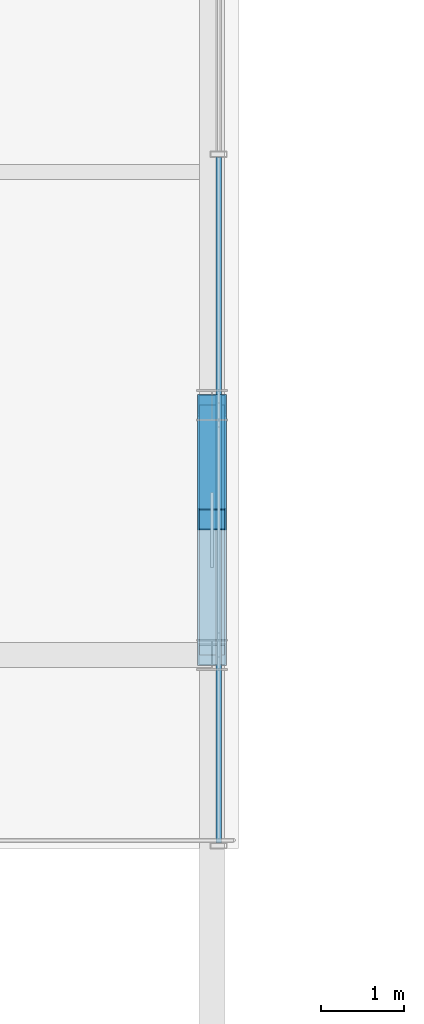
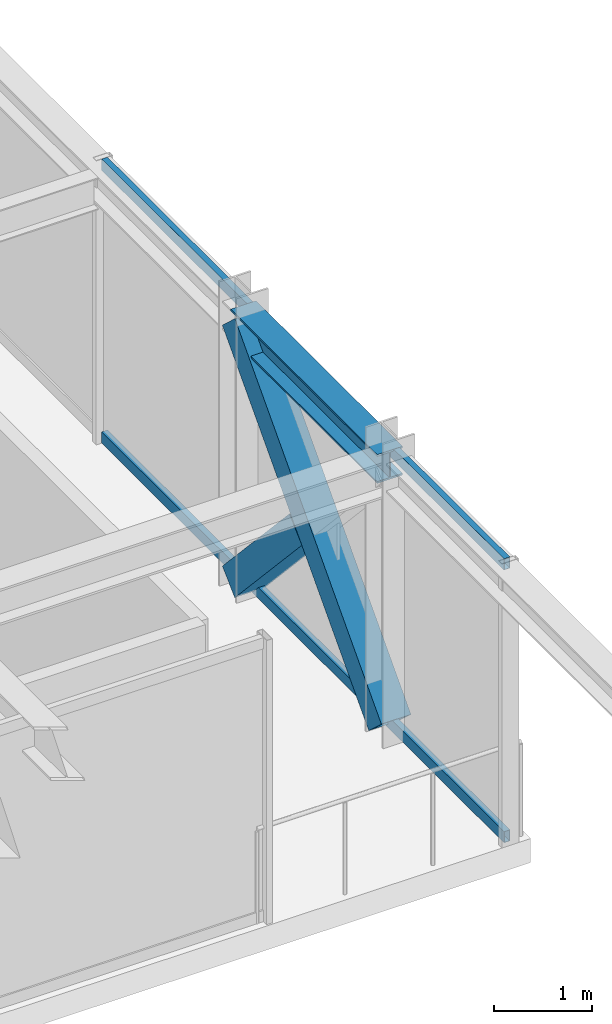
# One storey, part 22 of 39: 4 members, 1 beam, 1 element without a shape of its own.
"""IFC4 building model written with IfcOpenShell, lengths in metres."""

import ifcopenshell
import ifcopenshell.guid

model = None  # the IFC model being written
_history = None  # IfcOwnerHistory: only IFC2X3 demands one
_inside = {}  # id of a spatial element -> (the spatial element, [elements in it])
_under = {}  # id of a project, library or spatial element -> (it, [spatial elements below it])
_declared = {}  # id of a project -> (the project, [libraries it declares])
_typed = {}  # id of a type object -> (the type object, [elements of that type])
_made_of = {}  # id of a material, layer set ... -> (it, [elements and type objects made of it])


def new_model(schema):
    """Start an empty IFC model of exactly this schema.

    Asked for "IFC4X3", IfcOpenShell would pick the latest addendum, in which some entities
    have other attributes; the version numbers below select the first issue.
    IFC2X3 requires an IfcOwnerHistory on every rooted entity: one is made here for all.
    """
    global model, _history
    if schema == "IFC4X3":
        model = ifcopenshell.file(schema_version=(4, 3, 0, 0))
    else:
        model = ifcopenshell.file(schema=schema)
    _inside.clear()
    _under.clear()
    _declared.clear()
    _typed.clear()
    _made_of.clear()
    _history = None
    if model.schema == "IFC2X3":
        org = make("IfcOrganization", Name="unknown")
        user = make(
            "IfcPersonAndOrganization",
            ThePerson=make("IfcPerson", FamilyName="unknown"),
            TheOrganization=org,
        )
        app = make(
            "IfcApplication",
            ApplicationDeveloper=org,
            Version="unknown",
            ApplicationFullName="unknown",
            ApplicationIdentifier="unknown",
        )
        _history = make(
            "IfcOwnerHistory",
            OwningUser=user,
            OwningApplication=app,
            ChangeAction="ADDED",
            CreationDate=0,
        )
    return model


def make(cls, **values):
    """One entity of the class cls with the attributes given. An attribute that is None is left unset."""
    return model.create_entity(
        cls, **{name: value for name, value in values.items() if value is not None}
    )


def rooted(cls, **values):
    """An entity with a GlobalId (a new one), such as an element, a storey or a relation."""
    return make(cls, GlobalId=ifcopenshell.guid.new(), OwnerHistory=_history, **values)


def si_unit(unit_type, name, prefix=None):
    """IfcSIUnit, for example si_unit("LENGTHUNIT", "METRE", prefix="MILLI")."""
    return make("IfcSIUnit", UnitType=unit_type, Prefix=prefix, Name=name)


def assignment(units):
    """IfcUnitAssignment: the units of a project."""
    return None if units is None else make("IfcUnitAssignment", Units=units)


def point(xyz):
    """IfcCartesianPoint."""
    return None if xyz is None else make("IfcCartesianPoint", Coordinates=xyz)


def direction(xyz):
    """IfcDirection."""
    return None if xyz is None else make("IfcDirection", DirectionRatios=xyz)


def frame(location, z_axis=None, x_axis=None):
    """IfcAxis2Placement3D, a coordinate frame: its origin and axes. An axis left out is left unset."""
    return make(
        "IfcAxis2Placement3D",
        Location=point(location),
        Axis=direction(z_axis),
        RefDirection=direction(x_axis),
    )


def frame_2d(location, x_axis=None):
    """IfcAxis2Placement2D, a coordinate frame in the plane: its origin and x axis."""
    return make(
        "IfcAxis2Placement2D", Location=point(location), RefDirection=direction(x_axis)
    )


def origin():
    """The frame at (0, 0, 0) with its axes left unset."""
    return frame((0.0, 0.0, 0.0))


def origin_2d():
    """The frame at (0, 0) in the plane with its x axis left unset."""
    return frame_2d((0.0, 0.0))


def place(relative_to, where):
    """IfcLocalPlacement: puts the frame where relative to a parent placement (None: the world)."""
    return make(
        "IfcLocalPlacement", PlacementRelTo=relative_to, RelativePlacement=where
    )


def context(
    kind, dimensions, precision=None, world=None, true_north=None, identifier=None
):
    """IfcGeometricRepresentationContext, for example the 3D "Model" context."""
    return make(
        "IfcGeometricRepresentationContext",
        ContextIdentifier=identifier,
        ContextType=kind,
        CoordinateSpaceDimension=dimensions,
        Precision=precision,
        WorldCoordinateSystem=world,
        TrueNorth=true_north,
    )


def subcontext(parent, identifier, kind, view, scale=None):
    """IfcGeometricRepresentationSubContext, for example "Body" below "Model"."""
    return make(
        "IfcGeometricRepresentationSubContext",
        ContextIdentifier=identifier,
        ContextType=kind,
        ParentContext=parent,
        TargetScale=scale,
        TargetView=view,
    )


def project(units=None, contexts=None):
    """IfcProject with its units and contexts."""
    return rooted(
        "IfcProject",
        Name="project",
        RepresentationContexts=contexts,
        UnitsInContext=assignment(units),
    )


def spatial(cls, under=None, at=None, **own):
    """A site, building, storey or space (cls), placed at a placement, below another one or the project."""
    s = rooted(cls, ObjectPlacement=at, **own)
    if under is not None:
        _under.setdefault(under.id(), (under, []))[1].append(s)
    return s


def profile(cls, at=None, kind="AREA", **sizes):
    """A parametric profile (cls). Its sizes go by their IFC names, for example OverallWidth=200.0."""
    return make(cls, ProfileType=kind, Position=at, **sizes)


def hollow_rectangle(**sizes):
    """IfcRectangleHollowProfileDef."""
    return profile("IfcRectangleHollowProfileDef", **sizes)


def i_section(**sizes):
    """IfcIShapeProfileDef."""
    return profile("IfcIShapeProfileDef", **sizes)


def extrude(swept, where, along, depth):
    """IfcExtrudedAreaSolid: the profile swept, set in the frame where, extruded along a direction by depth."""
    return make(
        "IfcExtrudedAreaSolid",
        SweptArea=swept,
        Position=where,
        ExtrudedDirection=direction(along),
        Depth=depth,
    )


def shape(context_of_items, identifier, shape_type, items):
    """IfcShapeRepresentation: the items that make up one representation, for example the "Body"."""
    return make(
        "IfcShapeRepresentation",
        ContextOfItems=context_of_items,
        RepresentationIdentifier=identifier,
        RepresentationType=shape_type,
        Items=items,
    )


def source(mapping_origin, context_of_items, identifier, shape_type, items):
    """IfcRepresentationMap: a shape defined once, which mapped items show again and again."""
    return make(
        "IfcRepresentationMap",
        MappingOrigin=mapping_origin,
        MappedRepresentation=shape(context_of_items, identifier, shape_type, items),
    )


def transform(
    local_origin,
    x_axis=None,
    y_axis=None,
    z_axis=None,
    scale=None,
    scale2=None,
    scale3=None,
    uniform=True,
):
    """IfcCartesianTransformationOperator3D, or its non-uniform kind. x_axis, y_axis, z_axis: its Axis1, 2, 3."""
    if uniform:
        return make(
            "IfcCartesianTransformationOperator3D",
            Axis1=direction(x_axis),
            Axis2=direction(y_axis),
            LocalOrigin=point(local_origin),
            Scale=scale,
            Axis3=direction(z_axis),
        )
    return make(
        "IfcCartesianTransformationOperator3DnonUniform",
        Axis1=direction(x_axis),
        Axis2=direction(y_axis),
        LocalOrigin=point(local_origin),
        Scale=scale,
        Axis3=direction(z_axis),
        Scale2=scale2,
        Scale3=scale3,
    )


def mapped(mapping_source, mapping_target):
    """IfcMappedItem: shows the shape of a source again, moved by a transform."""
    return make(
        "IfcMappedItem", MappingSource=mapping_source, MappingTarget=mapping_target
    )


def material(Name=None, Category=None):
    """IfcMaterial."""
    return make("IfcMaterial", Name=Name, Category=Category)


def material_profile(
    of_material, cross_section, Name=None, Category=None, Priority=None
):
    """IfcMaterialProfile: a cross section and its material."""
    return make(
        "IfcMaterialProfile",
        Name=Name,
        Material=of_material,
        Profile=cross_section,
        Priority=Priority,
        Category=Category,
    )


def profile_set(profiles, Name=None, composite=None):
    """IfcMaterialProfileSet."""
    return make(
        "IfcMaterialProfileSet",
        Name=Name,
        MaterialProfiles=profiles,
        CompositeProfile=composite,
    )


def made_of(thing, what):
    """Note that an element or type object is made of a material, layer set ...; save() writes the relation."""
    if what is not None:
        _made_of.setdefault(what.id(), (what, []))[1].append(thing)
    return thing


def type_object(cls, material=None, **own):
    """A type object (cls), such as IfcWallType, which elements share."""
    return made_of(rooted(cls, **own), material)


def element(
    cls,
    number,
    at=None,
    inside=None,
    cuts=None,
    type_object=None,
    material=None,
    context=None,
    identifier="Body",
    shape_type=None,
    held_by="IfcProductDefinitionShape",
    body=None,
    shapes=None,
    **own,
):
    """One element of the class cls, such as IfcWall. Its Tag is "e" and its number.

    at: its placement. inside: the storey or other place that contains it. cuts: it is an
    opening in that element (IfcRelVoidsElement). A single representation is given by context,
    identifier, shape_type and body (its items); several are given by shapes. held_by: the class
    of the entity that holds the representations. save() writes the other relations.
    """
    e = rooted(cls, Tag="e%d" % number, ObjectPlacement=at, **own)
    if body is not None:
        shapes = [shape(context, identifier, shape_type, body)]
    if shapes is not None:
        e.Representation = make(held_by, Representations=shapes)
    if inside is not None:
        _inside.setdefault(inside.id(), (inside, []))[1].append(e)
    if cuts is not None:
        rooted(
            "IfcRelVoidsElement", RelatingBuildingElement=cuts, RelatedOpeningElement=e
        )
    if type_object is not None:
        _typed.setdefault(type_object.id(), (type_object, []))[1].append(e)
    return made_of(e, material)


def aggregate(whole, parts):
    """IfcRelAggregates: a whole, such as a stair, and the parts it consists of."""
    return rooted("IfcRelAggregates", RelatingObject=whole, RelatedObjects=parts)


def save(model, path):
    """Write the relations noted so far, then the file.

    IfcRelAggregates (storeys below a building ...), IfcRelContainedInSpatialStructure (elements
    in a storey), IfcRelDefinesByType, IfcRelAssociatesMaterial and IfcRelDeclares: one each for
    every whole, place, type object, material and project.
    """
    for whole, parts in _under.values():
        aggregate(whole, parts)
    for where, things in _inside.values():
        rooted(
            "IfcRelContainedInSpatialStructure",
            RelatedElements=things,
            RelatingStructure=where,
        )
    for kind, things in _typed.values():
        rooted("IfcRelDefinesByType", RelatedObjects=things, RelatingType=kind)
    for what, things in _made_of.values():
        rooted("IfcRelAssociatesMaterial", RelatedObjects=things, RelatingMaterial=what)
    for by, libraries in _declared.values():
        rooted("IfcRelDeclares", RelatingContext=by, RelatedDefinitions=libraries)
    model.write(path)


model = new_model("IFC4")

# Units and contexts
model_context = context("Model", 3, precision=1e-05, world=origin(), true_north=direction((0.0, 1.0)))
body_context = subcontext(model_context, "Body", "Model", "MODEL_VIEW")
ifc_project = project(units=[si_unit("LENGTHUNIT", "METRE"), si_unit("AREAUNIT", "SQUARE_METRE"), si_unit("VOLUMEUNIT", "CUBIC_METRE"), si_unit("PLANEANGLEUNIT", "RADIAN"), si_unit("MASSUNIT", "GRAM", prefix="KILO")], contexts=[model_context])

# Site, building, storey
site_placement = place(None, origin())
site = spatial("IfcSite", under=ifc_project, at=site_placement, CompositionType="ELEMENT")
building_placement = place(site_placement, origin())
building = spatial("IfcBuilding", under=site, at=building_placement, Name="Nahalor Promenade Grand Hotel", CompositionType="ELEMENT")
storey_placement = place(building_placement, frame((0.0, 0.0, 311.89990234375)))
storey = spatial("IfcBuildingStorey", under=building, at=storey_placement, Name="L80", CompositionType="ELEMENT", Elevation=311.89990234375)

# Beam
ifc_material_1 = material(Name="Steel S355JR", Category="steel")
ifc_material_profile_1 = material_profile(ifc_material_1, i_section(OverallWidth=0.3, OverallDepth=0.36, WebThickness=0.0125, FlangeThickness=0.0225, at=origin_2d()), Name="HEB 360")
ifc_profile_set_1 = profile_set([ifc_material_profile_1], Name="Steel S355JR")
beam_type = type_object("IfcBeamType", Name="Beam-Spandrel-HEB360", PredefinedType="SPANDREL", material=ifc_profile_set_1)
shared_shape_1 = source(origin(), body_context, "Body", "SweptSolid", [
    extrude(i_section(OverallWidth=0.3, OverallDepth=0.36, WebThickness=0.0125, FlangeThickness=0.0225, at=origin_2d()), origin(), (0.0, 0.0, 1.0), 3.0),
])
beam_placement = place(storey_placement, frame((22.47998046875, 5.39990234375, 3.3701171875), z_axis=(0.0, 1.0, 0.0), x_axis=(-1.0, 0.0, 0.0)))
element("IfcBeam", 1, at=beam_placement, inside=storey, type_object=beam_type, Name="BM-L80-SP-E-3", PredefinedType="SPANDREL", context=body_context, shape_type="MappedRepresentation", body=[
    mapped(shared_shape_1, transform((0.0, 0.0, 0.0), scale=1.0)),
])

# Members
ifc_material_profile_2 = material_profile(ifc_material_1, hollow_rectangle(XDim=0.35, YDim=0.35, WallThickness=0.02, at=origin_2d()), Name="SHS 350x350x20")
ifc_profile_set_2 = profile_set([ifc_material_profile_2], Name="Steel S355JR")
member_type_1 = type_object("IfcMemberType", Name="Mem-VoidBrace-SHS350", PredefinedType="BRACE", material=ifc_profile_set_2)
shared_shape_2 = source(origin(), body_context, "Body", "SweptSolid", [
    extrude(hollow_rectangle(XDim=0.35, YDim=0.35, WallThickness=0.02, at=origin_2d()), origin(), (0.0, 0.0, 1.0), 4.4228515625),
])
member_1_placement = place(storey_placement, frame((22.47998046875, 5.39990234375, 0.150146484375), z_axis=(0.0, 0.678280102733, 0.734803444627), x_axis=(-1.0, 0.0, 0.0)))
element("IfcMember", 2, at=member_1_placement, inside=storey, type_object=member_type_1, Name="EXO-L80-VX1-E1", PredefinedType="BRACE", context=body_context, shape_type="MappedRepresentation", body=[
    mapped(shared_shape_2, transform((0.0, 0.0, 0.0), scale=1.0)),
])
shared_shape_3 = source(origin(), body_context, "Body", "SweptSolid", [
    extrude(hollow_rectangle(XDim=0.35, YDim=0.35, WallThickness=0.02, at=origin_2d()), origin(), (0.0, 0.0, 1.0), 2.02392578125),
])
member_2_placement = place(storey_placement, frame((22.47998046875, 8.39990234375, 0.150146484375), z_axis=(0.0, -0.678315173958, 0.734771069639), x_axis=(1.0, 0.0, 0.0)))
element("IfcMember", 3, at=member_2_placement, inside=storey, type_object=member_type_1, Name="EXO-L80-VX2-E1A", PredefinedType="BRACE", context=body_context, shape_type="MappedRepresentation", body=[
    mapped(shared_shape_3, transform((0.0, 0.0, 0.0), scale=1.0)),
])

# Curtain wall, members
ifc_material_2 = material(Name="Anodised Bronze Aluminium EN AW-6063 T6", Category="aluminium")
curtain_wall_type = type_object("IfcCurtainWallType", Name="CW3 Elliptical-Void Collar Unitised Curtain Wall", PredefinedType="USERDEFINED", material=ifc_material_2)
curtain_wall_placement = place(storey_placement, origin())
curtain_wall = element("IfcCurtainWall", 4, at=curtain_wall_placement, inside=storey, type_object=curtain_wall_type, Name="L80 Curtain Wall CW-L80-E-4", ObjectType="UNITISED_CURTAIN_WALL", PredefinedType="USERDEFINED")
ifc_material_profile_3 = material_profile(ifc_material_2, hollow_rectangle(XDim=0.07, YDim=0.14, WallThickness=0.004, at=origin_2d()), Name="CWT 70x140x4")
ifc_profile_set_3 = profile_set([ifc_material_profile_3], Name="Anodised Bronze Aluminium EN AW-6063 T6")
member_type_2 = type_object("IfcMemberType", Name="CWT3 Void Collar Transom 70x140", PredefinedType="USERDEFINED", material=ifc_profile_set_3)
shared_shape_4 = source(origin(), body_context, "Body", "SweptSolid", [
    extrude(hollow_rectangle(XDim=0.07, YDim=0.14, WallThickness=0.004, at=origin_2d()), origin(), (0.0, 0.0, 1.0), 8.239501953125),
])
member_3_placement = place(storey_placement, frame((22.56005859375, 3.14111328125, 0.070068359375), z_axis=(0.0, 1.0, 0.0), x_axis=(-1.0, 0.0, 0.0)))
member_3 = element("IfcMember", 5, at=member_3_placement, type_object=member_type_2, Name="CW-L80-E-4 Transom 0-0", ObjectType="TRANSOM", PredefinedType="USERDEFINED", context=body_context, shape_type="MappedRepresentation", body=[
    mapped(shared_shape_4, transform((0.0, 0.0, 0.0), scale=1.0)),
])
member_4_placement = place(storey_placement, frame((22.56005859375, 3.14111328125, 3.47998046875), z_axis=(0.0, 1.0, 0.0), x_axis=(-1.0, 0.0, 0.0)))
member_4 = element("IfcMember", 6, at=member_4_placement, type_object=member_type_2, Name="CW-L80-E-4 Transom 0-1", ObjectType="TRANSOM", PredefinedType="USERDEFINED", context=body_context, shape_type="MappedRepresentation", body=[
    mapped(shared_shape_4, transform((0.0, 0.0, 0.0), scale=1.0)),
])
aggregate(curtain_wall, [member_3, member_4])

save(model, "model.ifc")
